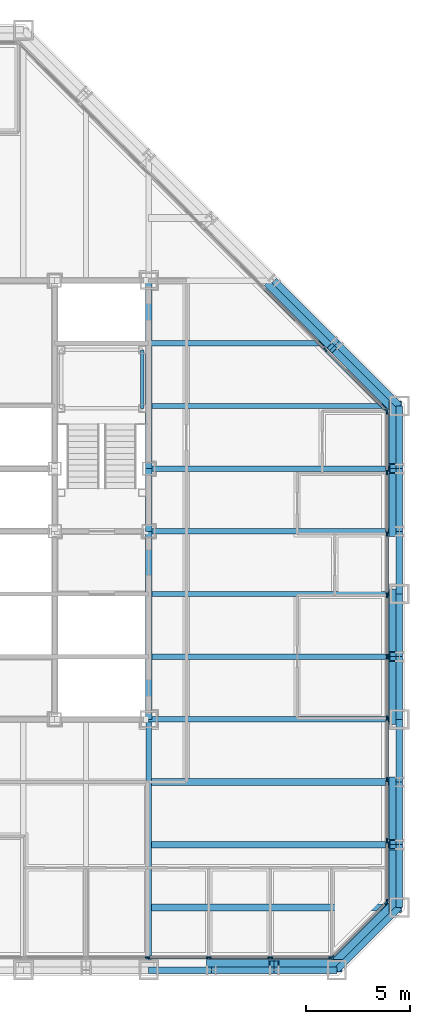
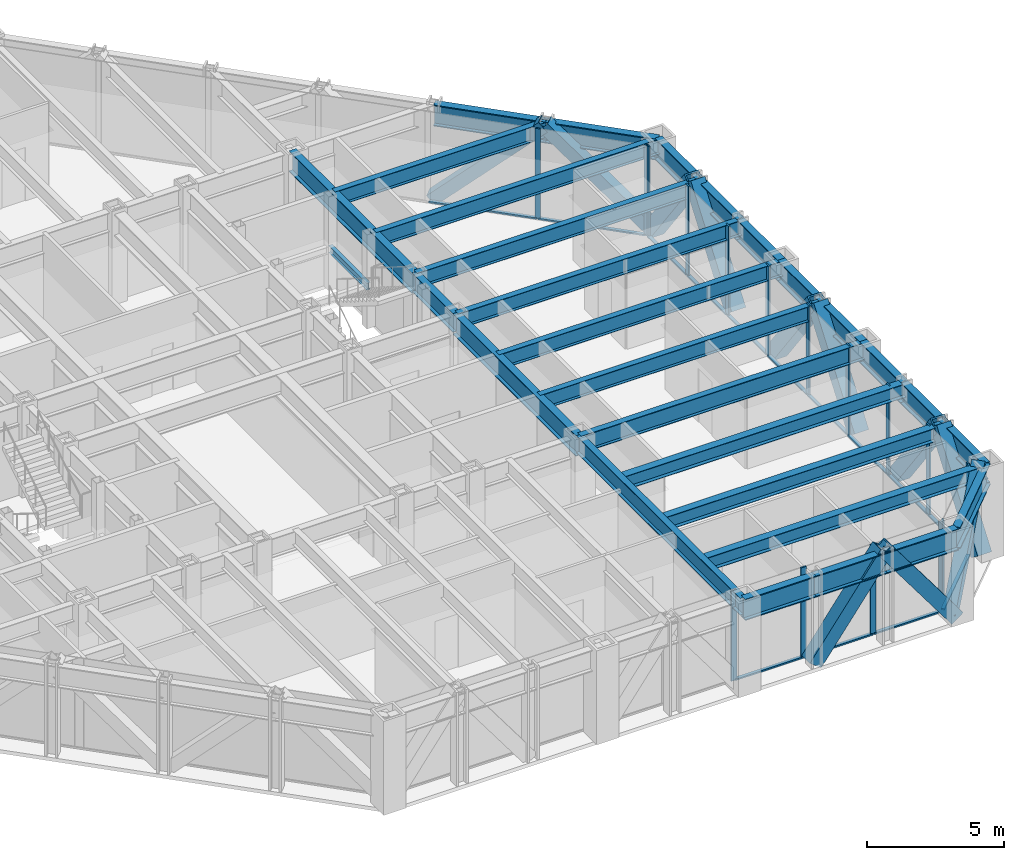
# One storey, part 6 of 16: 42 members, 29 beams, 4 elements without a shape of their own.
"""IFC4 building model written with IfcOpenShell, lengths in metres."""

from ifc_helpers import new_model, si_unit, direction, frame, origin, origin_2d, place, context, subcontext, project, spatial, rectangle, hollow_rectangle, i_section, extrude, material, layer, layer_set, material_profile, profile_set, type_object, element, aggregate, save


model = new_model("IFC4")

# Units and contexts
model_context = context("Model", 3, precision=1e-05, world=origin(), true_north=direction((0.0, 1.0)))
body_context = subcontext(model_context, "Body", "Model", "MODEL_VIEW")
ifc_project = project(units=[si_unit("LENGTHUNIT", "METRE"), si_unit("AREAUNIT", "SQUARE_METRE"), si_unit("VOLUMEUNIT", "CUBIC_METRE"), si_unit("PLANEANGLEUNIT", "RADIAN"), si_unit("MASSUNIT", "GRAM", prefix="KILO")], contexts=[model_context])

# Site, building, storey
site_placement = place(None, origin())
site = spatial("IfcSite", under=ifc_project, at=site_placement, CompositionType="ELEMENT")
building_placement = place(site_placement, origin())
building = spatial("IfcBuilding", under=site, at=building_placement, Name="Chuquiago Exchange Tower", CompositionType="ELEMENT")
storey_placement = place(building_placement, frame((0.0, 0.0, 161.39990234375)))
storey = spatial("IfcBuildingStorey", under=building, at=storey_placement, Name="L35", CompositionType="ELEMENT", Elevation=161.39990234375)

# Beams
ifc_material_1 = material(Name="Steel ASTM A992", Category="steel")
ifc_material_profile_1 = material_profile(ifc_material_1, i_section(OverallWidth=0.25390625, OverallDepth=0.683349609375, WebThickness=0.012451171875, FlangeThickness=0.018798828125, at=origin_2d()), Name="W27X94")
ifc_profile_set_1 = profile_set([ifc_material_profile_1], Name="Steel ASTM A992")
beam_type_1 = type_object("IfcBeamType", Name="B1 W27X94", PredefinedType="BEAM", material=ifc_profile_set_1)
for number, where, z_axis, x_axis, name in (
    (1, (33.0, 15.0, 3.698486328125), (1.0, 0.0, 0.0), (0.0, 1.0, 0.0), "FB-L36-infill-33_15-45_15-0"),
    (2, (33.0, 18.0, 3.698486328125), (1.0, 0.0, 0.0), (0.0, 1.0, 0.0), "FB-L36-infill-33_18-45_18-0"),
    (3, (33.0, 21.0, 3.698486328125), (1.0, 0.0, 0.0), (0.0, 1.0, 0.0), "FB-L36-infill-33_21-45_21-0"),
    (4, (33.0, 24.0, 3.698486328125), (1.0, 0.0, 0.0), (0.0, 1.0, 0.0), "FB-L36-infill-33_24-45_24-0"),
    (5, (33.0, 27.0, 3.698486328125), (1.0, 0.0, 0.0), (0.0, 1.0, 0.0), "FB-L36-infill-33_27-45_27-0"),
):
    element("IfcBeam", number, at=place(storey_placement, frame(where, z_axis=z_axis, x_axis=x_axis)), inside=storey, type_object=beam_type_1, Name=name, PredefinedType="BEAM", context=body_context, shape_type="SweptSolid", body=[
        extrude(i_section(OverallWidth=0.25390625, OverallDepth=0.683349609375, WebThickness=0.012451171875, FlangeThickness=0.018798828125, at=origin_2d()), origin(), (0.0, 0.0, 1.0), 12.0),
    ])
beam_1_placement = place(storey_placement, frame((33.0, 30.0, 3.698486328125), z_axis=(1.0, 0.0, 0.0), x_axis=(0.0, 1.0, 0.0)))
element("IfcBeam", 6, at=beam_1_placement, inside=storey, type_object=beam_type_1, Name="FB-L36-infill-33_30-42_30-0", PredefinedType="BEAM", context=body_context, shape_type="SweptSolid", body=[
    extrude(i_section(OverallWidth=0.25390625, OverallDepth=0.683349609375, WebThickness=0.012451171875, FlangeThickness=0.018798828125, at=origin_2d()), origin(), (0.0, 0.0, 1.0), 9.0),
])
ifc_material_2 = material(Name="Steel ASTM A992", Category="steel")
ifc_material_profile_2 = material_profile(ifc_material_2, i_section(OverallWidth=0.307373046875, OverallDepth=0.927001953125, WebThickness=0.01953125, FlangeThickness=0.031982421875, at=origin_2d()), Name="W36X194")
ifc_profile_set_2 = profile_set([ifc_material_profile_2], Name="Steel ASTM A992")
beam_type_2 = type_object("IfcBeamType", Name="B10 W36X194", PredefinedType="BEAM", material=ifc_profile_set_2)
for number, where, z_axis, x_axis, name in (
    (7, (33.0, 12.0, 3.576416015625), (0.0, 1.0, 0.0), (-1.0, 0.0, 0.0), "CB-L36-33_12-33_21"),
    (8, (33.0, 24.0, 3.576416015625), (0.0, 1.0, 0.0), (-1.0, 0.0, 0.0), "CB-L36-33_24-33_33"),
):
    element("IfcBeam", number, at=place(storey_placement, frame(where, z_axis=z_axis, x_axis=x_axis)), inside=storey, type_object=beam_type_2, Name=name, PredefinedType="BEAM", context=body_context, shape_type="SweptSolid", body=[
        extrude(i_section(OverallWidth=0.307373046875, OverallDepth=0.927001953125, WebThickness=0.01953125, FlangeThickness=0.031982421875, at=origin_2d()), origin(), (0.0, 0.0, 1.0), 9.0),
    ])
ifc_material_3 = material(Name="Steel ASTM A992", Category="steel")
ifc_material_profile_3 = material_profile(ifc_material_3, i_section(OverallWidth=0.3251953125, OverallDepth=0.612060546875, WebThickness=0.0126953125, FlangeThickness=0.01904296875, at=origin_2d()), Name="W24X104")
ifc_profile_set_3 = profile_set([ifc_material_profile_3], Name="Steel ASTM A992")
beam_type_3 = type_object("IfcBeamType", Name="B2 W24X104", PredefinedType="BEAM", material=ifc_profile_set_3)
for number, where, z_axis, x_axis, name in (
    (9, (33.0, 3.0, 3.73388671875), (1.0, 0.0, 0.0), (0.0, 1.0, 0.0), "FB-L36-corner-33_3-45_3-0"),
    (10, (33.0, 6.0, 3.73388671875), (1.0, 0.0, 0.0), (0.0, 1.0, 0.0), "FB-L36-corner-33_6-45_6-0"),
    (11, (33.0, 9.0, 3.73388671875), (1.0, 0.0, 0.0), (0.0, 1.0, 0.0), "FB-L36-corner-33_9-45_9-0"),
):
    element("IfcBeam", number, at=place(storey_placement, frame(where, z_axis=z_axis, x_axis=x_axis)), inside=storey, type_object=beam_type_3, Name=name, PredefinedType="BEAM", context=body_context, shape_type="SweptSolid", body=[
        extrude(i_section(OverallWidth=0.3251953125, OverallDepth=0.612060546875, WebThickness=0.0126953125, FlangeThickness=0.01904296875, at=origin_2d()), origin(), (0.0, 0.0, 1.0), 12.0),
    ])
ifc_material_4 = material(Name="Steel ASTM A992", Category="steel")
ifc_material_profile_4 = material_profile(ifc_material_4, i_section(OverallWidth=0.2919921875, OverallDepth=0.8583984375, WebThickness=0.01708984375, FlangeThickness=0.031005859375, at=origin_2d()), Name="W33X169")
ifc_profile_set_4 = profile_set([ifc_material_profile_4], Name="Steel ASTM A992")
beam_type_4 = type_object("IfcBeamType", Name="B3 W33X169", PredefinedType="BEAM", material=ifc_profile_set_4)
beam_2_placement = place(storey_placement, frame((33.0, 21.0, 3.61083984375), z_axis=(0.0, 1.0, 0.0), x_axis=(-1.0, 0.0, 0.0)))
element("IfcBeam", 12, at=beam_2_placement, inside=storey, type_object=beam_type_4, Name="CB-L36-33_21-33_24", PredefinedType="BEAM", context=body_context, shape_type="SweptSolid", body=[
    extrude(i_section(OverallWidth=0.2919921875, OverallDepth=0.8583984375, WebThickness=0.01708984375, FlangeThickness=0.031005859375, at=origin_2d()), origin(), (0.0, 0.0, 1.0), 3.0),
])

# Curtain wall, members
ifc_material_5 = material(Name="Aluminium curtain wall system", Category="aluminium")
ifc_layer_1 = layer(ifc_material_5, 0.22509765625)
ifc_layer_set_1 = layer_set([ifc_layer_1], Name="CW2 office curtain wall")
curtain_wall_type_1 = type_object("IfcCurtainWallType", Name="CW2 office curtain wall", PredefinedType="NOTDEFINED", material=ifc_layer_set_1)
curtain_wall_1_placement = place(storey_placement, origin())
curtain_wall_1 = element("IfcCurtainWall", 13, at=curtain_wall_1_placement, inside=storey, type_object=curtain_wall_type_1, Name="CW2 curtain wall L35", PredefinedType="NOTDEFINED")
ifc_material_6 = material(Name="Aluminium mullion, pale anodised", Category="aluminium")
ifc_material_profile_5 = material_profile(ifc_material_6, rectangle(XDim=0.06494140625, YDim=0.22509765625, at=origin_2d()), Name="AL 65x225")
ifc_profile_set_5 = profile_set([ifc_material_profile_5], Name="Aluminium mullion, pale anodised")
member_type_1 = type_object("IfcMemberType", Name="CW2-M mullion 65x225", PredefinedType="MULLION", material=ifc_profile_set_5)
member_1_placement = place(storey_placement, frame((32.93798828125, 0.60009765625, 0.0), z_axis=(0.0, 0.0, 1.0), x_axis=(0.0, 1.0, 0.0)))
member_1 = element("IfcMember", 14, at=member_1_placement, type_object=member_type_1, Name="CW2 mullion 6", PredefinedType="MULLION", context=body_context, shape_type="SweptSolid", body=[
    extrude(rectangle(XDim=0.06494140625, YDim=0.22509765625, at=origin_2d()), origin(), (0.0, 0.0, 1.0), 4.0400390625),
])
member_2_placement = place(storey_placement, frame((35.875732421875, 0.60009765625, 0.0), z_axis=(0.0, 0.0, 1.0), x_axis=(0.0, 1.0, 0.0)))
member_2 = element("IfcMember", 15, at=member_2_placement, type_object=member_type_1, Name="CW2 mullion 7", PredefinedType="MULLION", context=body_context, shape_type="SweptSolid", body=[
    extrude(rectangle(XDim=0.06494140625, YDim=0.22509765625, at=origin_2d()), origin(), (0.0, 0.0, 1.0), 4.0400390625),
])
member_3_placement = place(storey_placement, frame((38.813720703125, 0.60009765625, 0.0), z_axis=(0.0, 0.0, 1.0), x_axis=(0.0, 1.0, 0.0)))
member_3 = element("IfcMember", 16, at=member_3_placement, type_object=member_type_1, Name="CW2 mullion 8", PredefinedType="MULLION", context=body_context, shape_type="SweptSolid", body=[
    extrude(rectangle(XDim=0.06494140625, YDim=0.22509765625, at=origin_2d()), origin(), (0.0, 0.0, 1.0), 4.0400390625),
])
member_4_placement = place(storey_placement, frame((41.718994140625, 0.60009765625, 0.0), z_axis=(0.0, 0.0, 1.0), x_axis=(0.0, 1.0, 0.0)))
member_4 = element("IfcMember", 17, at=member_4_placement, type_object=member_type_1, Name="CW2 mullion 9", PredefinedType="MULLION", context=body_context, shape_type="SweptSolid", body=[
    extrude(rectangle(XDim=0.06494140625, YDim=0.22509765625, at=origin_2d()), origin(), (0.0, 0.0, 1.0), 4.0400390625),
])

curtain_wall_2_placement = place(storey_placement, origin())
curtain_wall_2 = element("IfcCurtainWall", 18, at=curtain_wall_2_placement, inside=storey, type_object=curtain_wall_type_1, Name="CW2 curtain wall L35", PredefinedType="NOTDEFINED")
member_5_placement = place(storey_placement, frame((44.39990234375, 3.281005859375, 0.0), z_axis=(0.0, 0.0, 1.0), x_axis=(-1.0, 0.0, 0.0)))
member_5 = element("IfcMember", 19, at=member_5_placement, type_object=member_type_1, Name="CW2 mullion 1", PredefinedType="MULLION", context=body_context, shape_type="SweptSolid", body=[
    extrude(rectangle(XDim=0.06494140625, YDim=0.22509765625, at=origin_2d()), origin(), (0.0, 0.0, 1.0), 4.0400390625),
])
member_6_placement = place(storey_placement, frame((44.39990234375, 6.186279296875, 0.0), z_axis=(0.0, 0.0, 1.0), x_axis=(-1.0, 0.0, 0.0)))
member_6 = element("IfcMember", 20, at=member_6_placement, type_object=member_type_1, Name="CW2 mullion 2", PredefinedType="MULLION", context=body_context, shape_type="SweptSolid", body=[
    extrude(rectangle(XDim=0.06494140625, YDim=0.22509765625, at=origin_2d()), origin(), (0.0, 0.0, 1.0), 4.0400390625),
])
member_7_placement = place(storey_placement, frame((44.39990234375, 9.124267578125, 0.0), z_axis=(0.0, 0.0, 1.0), x_axis=(-1.0, 0.0, 0.0)))
member_7 = element("IfcMember", 21, at=member_7_placement, type_object=member_type_1, Name="CW2 mullion 3", PredefinedType="MULLION", context=body_context, shape_type="SweptSolid", body=[
    extrude(rectangle(XDim=0.06494140625, YDim=0.22509765625, at=origin_2d()), origin(), (0.0, 0.0, 1.0), 4.0400390625),
])
member_8_placement = place(storey_placement, frame((44.39990234375, 12.06201171875, 0.0), z_axis=(0.0, 0.0, 1.0), x_axis=(-1.0, 0.0, 0.0)))
member_8 = element("IfcMember", 22, at=member_8_placement, type_object=member_type_1, Name="CW2 mullion 4", PredefinedType="MULLION", context=body_context, shape_type="SweptSolid", body=[
    extrude(rectangle(XDim=0.06494140625, YDim=0.22509765625, at=origin_2d()), origin(), (0.0, 0.0, 1.0), 4.0400390625),
])
member_9_placement = place(storey_placement, frame((44.39990234375, 15.0, 0.0), z_axis=(0.0, 0.0, 1.0), x_axis=(-1.0, 0.0, 0.0)))
member_9 = element("IfcMember", 23, at=member_9_placement, type_object=member_type_1, Name="CW2 mullion 5", PredefinedType="MULLION", context=body_context, shape_type="SweptSolid", body=[
    extrude(rectangle(XDim=0.06494140625, YDim=0.22509765625, at=origin_2d()), origin(), (0.0, 0.0, 1.0), 4.0400390625),
])
member_10_placement = place(storey_placement, frame((44.39990234375, 17.93798828125, 0.0), z_axis=(0.0, 0.0, 1.0), x_axis=(-1.0, 0.0, 0.0)))
member_10 = element("IfcMember", 24, at=member_10_placement, type_object=member_type_1, Name="CW2 mullion 6", PredefinedType="MULLION", context=body_context, shape_type="SweptSolid", body=[
    extrude(rectangle(XDim=0.06494140625, YDim=0.22509765625, at=origin_2d()), origin(), (0.0, 0.0, 1.0), 4.0400390625),
])
member_11_placement = place(storey_placement, frame((44.39990234375, 20.875732421875, 0.0), z_axis=(0.0, 0.0, 1.0), x_axis=(-1.0, 0.0, 0.0)))
member_11 = element("IfcMember", 25, at=member_11_placement, type_object=member_type_1, Name="CW2 mullion 7", PredefinedType="MULLION", context=body_context, shape_type="SweptSolid", body=[
    extrude(rectangle(XDim=0.06494140625, YDim=0.22509765625, at=origin_2d()), origin(), (0.0, 0.0, 1.0), 4.0400390625),
])
member_12_placement = place(storey_placement, frame((44.39990234375, 23.813720703125, 0.0), z_axis=(0.0, 0.0, 1.0), x_axis=(-1.0, 0.0, 0.0)))
member_12 = element("IfcMember", 26, at=member_12_placement, type_object=member_type_1, Name="CW2 mullion 8", PredefinedType="MULLION", context=body_context, shape_type="SweptSolid", body=[
    extrude(rectangle(XDim=0.06494140625, YDim=0.22509765625, at=origin_2d()), origin(), (0.0, 0.0, 1.0), 4.0400390625),
])
member_13_placement = place(storey_placement, frame((44.39990234375, 26.718994140625, 0.0), z_axis=(0.0, 0.0, 1.0), x_axis=(-1.0, 0.0, 0.0)))
member_13 = element("IfcMember", 27, at=member_13_placement, type_object=member_type_1, Name="CW2 mullion 9", PredefinedType="MULLION", context=body_context, shape_type="SweptSolid", body=[
    extrude(rectangle(XDim=0.06494140625, YDim=0.22509765625, at=origin_2d()), origin(), (0.0, 0.0, 1.0), 4.0400390625),
])

# Member
ifc_material_7 = material(Name="Aluminium transom, pale anodised", Category="aluminium")
ifc_material_profile_6 = material_profile(ifc_material_7, rectangle(XDim=0.139892578125, YDim=0.06494140625, at=origin_2d()), Name="AL 140x65")
ifc_profile_set_6 = profile_set([ifc_material_profile_6], Name="Aluminium transom, pale anodised")
member_type_2 = type_object("IfcMemberType", Name="CW2-T transom 65x140", PredefinedType="MULLION", material=ifc_profile_set_6)
member_14_placement = place(storey_placement, frame((32.970458984375, 0.60009765625, 0.03271484375), z_axis=(1.0, 0.0, 0.0), x_axis=(0.0, 1.0, 0.0)))
member_14 = element("IfcMember", 28, at=member_14_placement, type_object=member_type_2, Name="CW2 transom 6.1", PredefinedType="MULLION", context=body_context, shape_type="SweptSolid", body=[
    extrude(rectangle(XDim=0.139892578125, YDim=0.06494140625, at=origin_2d()), origin(), (0.0, 0.0, 1.0), 2.872802734375),
])

member_15_placement = place(storey_placement, frame((35.908203125, 0.60009765625, 0.03271484375), z_axis=(1.0, 0.0, 0.0), x_axis=(0.0, 1.0, 0.0)))
member_15 = element("IfcMember", 29, at=member_15_placement, type_object=member_type_2, Name="CW2 transom 7.1", PredefinedType="MULLION", context=body_context, shape_type="SweptSolid", body=[
    extrude(rectangle(XDim=0.139892578125, YDim=0.06494140625, at=origin_2d()), origin(), (0.0, 0.0, 1.0), 2.872802734375),
])

member_16_placement = place(storey_placement, frame((38.84619140625, 0.60009765625, 0.03271484375), z_axis=(1.0, 0.0, 0.0), x_axis=(0.0, 1.0, 0.0)))
member_16 = element("IfcMember", 30, at=member_16_placement, type_object=member_type_2, Name="CW2 transom 8.1", PredefinedType="MULLION", context=body_context, shape_type="SweptSolid", body=[
    extrude(rectangle(XDim=0.139892578125, YDim=0.06494140625, at=origin_2d()), origin(), (0.0, 0.0, 1.0), 2.84033203125),
])

aggregate(curtain_wall_1, [member_1, member_2, member_3, member_4, member_14, member_15, member_16])

member_17_placement = place(storey_placement, frame((44.39990234375, 3.3134765625, 0.03271484375), z_axis=(0.0, 1.0, 0.0), x_axis=(-1.0, 0.0, 0.0)))
member_17 = element("IfcMember", 31, at=member_17_placement, type_object=member_type_2, Name="CW2 transom 1.1", PredefinedType="MULLION", context=body_context, shape_type="SweptSolid", body=[
    extrude(rectangle(XDim=0.139892578125, YDim=0.06494140625, at=origin_2d()), origin(), (0.0, 0.0, 1.0), 2.84033203125),
])

member_18_placement = place(storey_placement, frame((44.39990234375, 6.218994140625, 0.03271484375), z_axis=(0.0, 1.0, 0.0), x_axis=(-1.0, 0.0, 0.0)))
member_18 = element("IfcMember", 32, at=member_18_placement, type_object=member_type_2, Name="CW2 transom 2.1", PredefinedType="MULLION", context=body_context, shape_type="SweptSolid", body=[
    extrude(rectangle(XDim=0.139892578125, YDim=0.06494140625, at=origin_2d()), origin(), (0.0, 0.0, 1.0), 2.872802734375),
])

member_19_placement = place(storey_placement, frame((44.39990234375, 9.15673828125, 0.03271484375), z_axis=(0.0, 1.0, 0.0), x_axis=(-1.0, 0.0, 0.0)))
member_19 = element("IfcMember", 33, at=member_19_placement, type_object=member_type_2, Name="CW2 transom 3.1", PredefinedType="MULLION", context=body_context, shape_type="SweptSolid", body=[
    extrude(rectangle(XDim=0.139892578125, YDim=0.06494140625, at=origin_2d()), origin(), (0.0, 0.0, 1.0), 2.872802734375),
])

member_20_placement = place(storey_placement, frame((44.39990234375, 12.0947265625, 0.03271484375), z_axis=(0.0, 1.0, 0.0), x_axis=(-1.0, 0.0, 0.0)))
member_20 = element("IfcMember", 34, at=member_20_placement, type_object=member_type_2, Name="CW2 transom 4.1", PredefinedType="MULLION", context=body_context, shape_type="SweptSolid", body=[
    extrude(rectangle(XDim=0.139892578125, YDim=0.06494140625, at=origin_2d()), origin(), (0.0, 0.0, 1.0), 2.872802734375),
])

member_21_placement = place(storey_placement, frame((44.39990234375, 15.032470703125, 0.03271484375), z_axis=(0.0, 1.0, 0.0), x_axis=(-1.0, 0.0, 0.0)))
member_21 = element("IfcMember", 35, at=member_21_placement, type_object=member_type_2, Name="CW2 transom 5.1", PredefinedType="MULLION", context=body_context, shape_type="SweptSolid", body=[
    extrude(rectangle(XDim=0.139892578125, YDim=0.06494140625, at=origin_2d()), origin(), (0.0, 0.0, 1.0), 2.872802734375),
])

member_22_placement = place(storey_placement, frame((44.39990234375, 17.970458984375, 0.03271484375), z_axis=(0.0, 1.0, 0.0), x_axis=(-1.0, 0.0, 0.0)))
member_22 = element("IfcMember", 36, at=member_22_placement, type_object=member_type_2, Name="CW2 transom 6.1", PredefinedType="MULLION", context=body_context, shape_type="SweptSolid", body=[
    extrude(rectangle(XDim=0.139892578125, YDim=0.06494140625, at=origin_2d()), origin(), (0.0, 0.0, 1.0), 2.872802734375),
])

member_23_placement = place(storey_placement, frame((44.39990234375, 20.908203125, 0.03271484375), z_axis=(0.0, 1.0, 0.0), x_axis=(-1.0, 0.0, 0.0)))
member_23 = element("IfcMember", 37, at=member_23_placement, type_object=member_type_2, Name="CW2 transom 7.1", PredefinedType="MULLION", context=body_context, shape_type="SweptSolid", body=[
    extrude(rectangle(XDim=0.139892578125, YDim=0.06494140625, at=origin_2d()), origin(), (0.0, 0.0, 1.0), 2.872802734375),
])

member_24_placement = place(storey_placement, frame((44.39990234375, 23.84619140625, 0.03271484375), z_axis=(0.0, 1.0, 0.0), x_axis=(-1.0, 0.0, 0.0)))
member_24 = element("IfcMember", 38, at=member_24_placement, type_object=member_type_2, Name="CW2 transom 8.1", PredefinedType="MULLION", context=body_context, shape_type="SweptSolid", body=[
    extrude(rectangle(XDim=0.139892578125, YDim=0.06494140625, at=origin_2d()), origin(), (0.0, 0.0, 1.0), 2.84033203125),
])

aggregate(curtain_wall_2, [member_5, member_6, member_7, member_8, member_9, member_10, member_11, member_12, member_13, member_17, member_18, member_19, member_20, member_21, member_22, member_23, member_24])

# Curtain wall, members
ifc_material_8 = material(Name="Aluminium curtain wall system", Category="aluminium")
ifc_layer_2 = layer(ifc_material_8, 0.199951171875)
ifc_layer_set_2 = layer_set([ifc_layer_2], Name="CW3 facet curtain wall")
curtain_wall_type_2 = type_object("IfcCurtainWallType", Name="CW3 facet curtain wall", PredefinedType="NOTDEFINED", material=ifc_layer_set_2)
curtain_wall_3_placement = place(storey_placement, origin())
curtain_wall_3 = element("IfcCurtainWall", 39, at=curtain_wall_3_placement, inside=storey, type_object=curtain_wall_type_2, Name="CW3 curtain wall L35", PredefinedType="NOTDEFINED")
ifc_material_9 = material(Name="Aluminium mullion, pale anodised", Category="aluminium")
ifc_material_profile_7 = material_profile(ifc_material_9, rectangle(XDim=0.06494140625, YDim=0.199951171875, at=origin_2d()), Name="AL 65x200")
ifc_profile_set_7 = profile_set([ifc_material_profile_7], Name="Aluminium mullion, pale anodised")
member_type_3 = type_object("IfcMemberType", Name="CW3-M mullion 65x200", PredefinedType="MULLION", material=ifc_profile_set_7)
member_25_placement = place(storey_placement, frame((41.7744140625, 0.623046875, 0.0), z_axis=(0.0, 0.0, 1.0), x_axis=(-0.707106781187, 0.707106781187, 0.0)))
member_25 = element("IfcMember", 40, at=member_25_placement, type_object=member_type_3, Name="CW3 mullion 1", PredefinedType="MULLION", context=body_context, shape_type="SweptSolid", body=[
    extrude(rectangle(XDim=0.06494140625, YDim=0.199951171875, at=origin_2d()), origin(), (0.0, 0.0, 1.0), 4.0400390625),
])
member_26_placement = place(storey_placement, frame((44.376953125, 3.2255859375, 0.0), z_axis=(0.0, 0.0, 1.0), x_axis=(-0.707106781187, 0.707106781187, 0.0)))
member_26 = element("IfcMember", 41, at=member_26_placement, type_object=member_type_3, Name="CW3 mullion 2", PredefinedType="MULLION", context=body_context, shape_type="SweptSolid", body=[
    extrude(rectangle(XDim=0.06494140625, YDim=0.199951171875, at=origin_2d()), origin(), (0.0, 0.0, 1.0), 4.0400390625),
])

curtain_wall_4_placement = place(storey_placement, origin())
curtain_wall_4 = element("IfcCurtainWall", 42, at=curtain_wall_4_placement, inside=storey, type_object=curtain_wall_type_2, Name="CW3 curtain wall L35", PredefinedType="NOTDEFINED")
member_27_placement = place(storey_placement, frame((44.376953125, 26.7744140625, 0.0), z_axis=(0.0, 0.0, 1.0), x_axis=(-0.707106781187, -0.707106781187, 0.0)))
member_27 = element("IfcMember", 43, at=member_27_placement, type_object=member_type_3, Name="CW3 mullion 1", PredefinedType="MULLION", context=body_context, shape_type="SweptSolid", body=[
    extrude(rectangle(XDim=0.06494140625, YDim=0.199951171875, at=origin_2d()), origin(), (0.0, 0.0, 1.0), 4.0400390625),
])
member_28_placement = place(storey_placement, frame((41.45849609375, 29.69287109375, 0.0), z_axis=(0.0, 0.0, 1.0), x_axis=(-0.707106781187, -0.707106781187, 0.0)))
member_28 = element("IfcMember", 44, at=member_28_placement, type_object=member_type_3, Name="CW3 mullion 2", PredefinedType="MULLION", context=body_context, shape_type="SweptSolid", body=[
    extrude(rectangle(XDim=0.06494140625, YDim=0.199951171875, at=origin_2d()), origin(), (0.0, 0.0, 1.0), 4.0400390625),
])

# Member
ifc_material_10 = material(Name="Aluminium transom, pale anodised", Category="aluminium")
ifc_material_profile_8 = material_profile(ifc_material_10, rectangle(XDim=0.139892578125, YDim=0.06494140625, at=origin_2d()), Name="AL 140x65")
ifc_profile_set_8 = profile_set([ifc_material_profile_8], Name="Aluminium transom, pale anodised")
member_type_4 = type_object("IfcMemberType", Name="CW3-T transom 65x140", PredefinedType="MULLION", material=ifc_profile_set_8)
member_29_placement = place(storey_placement, frame((41.79736328125, 0.64599609375, 0.03271484375), z_axis=(0.707106781187, 0.707106781187, 0.0), x_axis=(-0.707106781187, 0.707106781187, 0.0)))
member_29 = element("IfcMember", 45, at=member_29_placement, type_object=member_type_4, Name="CW3 transom 1.1", PredefinedType="MULLION", context=body_context, shape_type="SweptSolid", body=[
    extrude(rectangle(XDim=0.139892578125, YDim=0.06494140625, at=origin_2d()), origin(), (0.0, 0.0, 1.0), 3.61572265625),
])

aggregate(curtain_wall_3, [member_25, member_26, member_29])

member_30_placement = place(storey_placement, frame((44.35400390625, 26.79736328125, 0.03271484375), z_axis=(-0.707106781187, 0.707106781187, 0.0), x_axis=(-0.707106781187, -0.707106781187, 0.0)))
member_30 = element("IfcMember", 46, at=member_30_placement, type_object=member_type_4, Name="CW3 transom 1.1", PredefinedType="MULLION", context=body_context, shape_type="SweptSolid", body=[
    extrude(rectangle(XDim=0.139892578125, YDim=0.06494140625, at=origin_2d()), origin(), (0.0, 0.0, 1.0), 4.0625),
])

member_31_placement = place(storey_placement, frame((41.435546875, 29.7158203125, 0.03271484375), z_axis=(-0.707106781187, 0.707106781187, 0.0), x_axis=(-0.707106781187, -0.707106781187, 0.0)))
member_31 = element("IfcMember", 47, at=member_31_placement, type_object=member_type_4, Name="CW3 transom 2.1", PredefinedType="MULLION", context=body_context, shape_type="SweptSolid", body=[
    extrude(rectangle(XDim=0.139892578125, YDim=0.06494140625, at=origin_2d()), origin(), (0.0, 0.0, 1.0), 4.094970703125),
])

aggregate(curtain_wall_4, [member_27, member_28, member_30, member_31])

# Beams
ifc_material_11 = material(Name="Steel ASTM A992", Category="steel")
ifc_material_profile_9 = material_profile(ifc_material_11, i_section(OverallWidth=0.2666015625, OverallDepth=0.76953125, WebThickness=0.015625, FlangeThickness=0.025390625, at=origin_2d()), Name="W30X132")
ifc_profile_set_9 = profile_set([ifc_material_profile_9], Name="Steel ASTM A992")
beam_type_5 = type_object("IfcBeamType", Name="G1 W30X132", PredefinedType="BEAM", material=ifc_profile_set_9)
for number, where, z_axis, x_axis, name in (
    (48, (33.0, 12.0, 3.6552734375), (0.0, -1.0, 0.0), (1.0, 0.0, 0.0), "FB-L36-girder-33_12-33_-0-0"),
    (49, (33.0, 12.0, 3.6552734375), (1.0, 0.0, 0.0), (0.0, 1.0, 0.0), "FB-L36-girder-33_12-45_12-0"),
):
    element("IfcBeam", number, at=place(storey_placement, frame(where, z_axis=z_axis, x_axis=x_axis)), inside=storey, type_object=beam_type_5, Name=name, PredefinedType="BEAM", context=body_context, shape_type="SweptSolid", body=[
        extrude(i_section(OverallWidth=0.2666015625, OverallDepth=0.76953125, WebThickness=0.015625, FlangeThickness=0.025390625, at=origin_2d()), origin(), (0.0, 0.0, 1.0), 12.0),
    ])

# Members
ifc_material_12 = material(Name="Steel ASTM A500 Grade C", Category="steel")
ifc_material_profile_10 = material_profile(ifc_material_12, hollow_rectangle(XDim=0.508056640625, YDim=0.508056640625, WallThickness=0.017822265625, at=origin_2d()), Name="HSS20X20X3/4")
ifc_profile_set_10 = profile_set([ifc_material_profile_10], Name="Steel ASTM A500 Grade C")
member_type_5 = type_object("IfcMemberType", Name="LB1 HSS20X20X3/4", PredefinedType="BRACE", material=ifc_profile_set_10)
for number, where, z_axis, x_axis, name in (
    (50, (41.822509765625, 0.177490234375, 0.0), (0.512077265487, 0.512077265487, 0.689604051861), (-0.707106781187, 0.707106781187, 0.0), "LB-L35-42_0-45_3"),
    (51, (44.822509765625, 26.822509765625, 0.0), (-0.512077265487, 0.512077265487, 0.689604051861), (-0.707106781187, -0.707106781187, 0.0), "LB-L35-45_27-42_30"),
    (52, (38.822509765625, 32.822509765625, 0.0), (0.512077265487, -0.512077265487, 0.689604051861), (0.707106781187, 0.707106781187, 0.0), "LB-L35-42_30-39_33"),
):
    element("IfcMember", number, at=place(storey_placement, frame(where, z_axis=z_axis, x_axis=x_axis)), inside=storey, type_object=member_type_5, Name=name, PredefinedType="BRACE", context=body_context, shape_type="SweptSolid", body=[
        extrude(hollow_rectangle(XDim=0.508056640625, YDim=0.508056640625, WallThickness=0.017822265625, at=origin_2d()), origin(), (0.0, 0.0, 1.0), 5.8583984375),
    ])

# Beam
ifc_material_13 = material(Name="Steel ASTM A992", Category="steel")
ifc_material_profile_11 = material_profile(ifc_material_13, i_section(OverallWidth=0.164794921875, OverallDepth=0.309814453125, WebThickness=0.005859375, FlangeThickness=0.009765625, at=origin_2d()), Name="W12X26")
ifc_profile_set_11 = profile_set([ifc_material_profile_11], Name="Steel ASTM A992")
beam_type_6 = type_object("IfcBeamType", Name="LS1 W12X26", PredefinedType="BEAM", material=ifc_profile_set_11)
beam_3_placement = place(storey_placement, frame((32.68994140625, 26.889892578125, 1.7451171875), z_axis=(0.0, 1.0, 0.0), x_axis=(-1.0, 0.0, 0.0)))
element("IfcBeam", 53, at=beam_3_placement, inside=storey, type_object=beam_type_6, Name="Stair ST2 L35 landing 1 stringer", PredefinedType="BEAM", context=body_context, shape_type="SweptSolid", body=[
    extrude(i_section(OverallWidth=0.164794921875, OverallDepth=0.309814453125, WebThickness=0.005859375, FlangeThickness=0.009765625, at=origin_2d()), origin(), (0.0, 0.0, 1.0), 2.800048828125),
])

# Members
ifc_material_14 = material(Name="Steel ASTM A572 Grade 50", Category="steel")
ifc_material_profile_12 = material_profile(ifc_material_14, hollow_rectangle(XDim=0.60009765625, YDim=0.60009765625, WallThickness=0.06005859375, at=origin_2d()), Name="BOX600X600X60")
ifc_profile_set_12 = profile_set([ifc_material_profile_12], Name="Steel ASTM A572 Grade 50")
member_type_6 = type_object("IfcMemberType", Name="MB2 BOX600X600X60", PredefinedType="BRACE", material=ifc_profile_set_12)
for number, where, z_axis, x_axis, name in (
    (54, (36.0, 0.205078125, 0.0), (0.596173923302, 0.0, 0.802855312728), (0.0, 1.0, 0.0), "Mega diagonal L35 S face"),
    (55, (42.0, 0.205078125, 0.0), (-0.596173923302, 0.0, 0.802855312728), (0.0, -1.0, 0.0), "Mega diagonal L35 S face"),
    (56, (44.794921875, 3.0, 0.0), (0.0, 0.596173923302, 0.802855312728), (-1.0, 0.0, 0.0), "Mega diagonal L35 E face"),
    (57, (44.794921875, 9.0, 0.0), (0.0, -0.596173923302, 0.802855312728), (1.0, 0.0, 0.0), "Mega diagonal L35 E face"),
    (58, (44.794921875, 12.0, 0.0), (0.0, 0.596173923302, 0.802855312728), (-1.0, 0.0, 0.0), "Mega diagonal L35 E face"),
    (59, (44.794921875, 18.0, 0.0), (0.0, -0.596173923302, 0.802855312728), (1.0, 0.0, 0.0), "Mega diagonal L35 E face"),
    (60, (44.794921875, 21.0, 0.0), (0.0, 0.596173923302, 0.802855312728), (-1.0, 0.0, 0.0), "Mega diagonal L35 E face"),
    (61, (44.794921875, 27.0, 0.0), (0.0, -0.596173923302, 0.802855312728), (1.0, 0.0, 0.0), "Mega diagonal L35 E face"),
):
    element("IfcMember", number, at=place(storey_placement, frame(where, z_axis=z_axis, x_axis=x_axis)), inside=storey, type_object=member_type_6, Name=name, PredefinedType="BRACE", context=body_context, shape_type="SweptSolid", body=[
        extrude(hollow_rectangle(XDim=0.60009765625, YDim=0.60009765625, WallThickness=0.06005859375, at=origin_2d()), origin(), (0.0, 0.0, 1.0), 5.031982421875),
    ])

# Beams
ifc_material_15 = material(Name="Steel ASTM A992", Category="steel")
ifc_material_profile_13 = material_profile(ifc_material_15, i_section(OverallWidth=0.309814453125, OverallDepth=0.949951171875, WebThickness=0.0244140625, FlangeThickness=0.0439453125, at=origin_2d()), Name="W36X256")
ifc_profile_set_13 = profile_set([ifc_material_profile_13], Name="Steel ASTM A992")
beam_type_7 = type_object("IfcBeamType", Name="SP2 W36X256", PredefinedType="SPANDREL", material=ifc_profile_set_13)
for number, where, z_axis, x_axis, name in (
    (62, (33.0, 0.0, 3.565185546875), (1.0, 0.0, 0.0), (0.0, 1.0, 0.0), "SPB-L36-33_0-36_0"),
    (63, (36.0, 0.0, 3.565185546875), (1.0, 0.0, 0.0), (0.0, 1.0, 0.0), "SPB-L36-36_0-39_0"),
    (64, (39.0, 0.0, 3.565185546875), (1.0, 0.0, 0.0), (0.0, 1.0, 0.0), "SPB-L36-39_0-42_0"),
):
    element("IfcBeam", number, at=place(storey_placement, frame(where, z_axis=z_axis, x_axis=x_axis)), inside=storey, type_object=beam_type_7, Name=name, PredefinedType="SPANDREL", context=body_context, shape_type="SweptSolid", body=[
        extrude(i_section(OverallWidth=0.309814453125, OverallDepth=0.949951171875, WebThickness=0.0244140625, FlangeThickness=0.0439453125, at=origin_2d()), origin(), (0.0, 0.0, 1.0), 3.0),
    ])
beam_4_placement = place(storey_placement, frame((42.0, 0.0, 3.565185546875), z_axis=(0.707106781187, 0.707106781187, 0.0), x_axis=(-0.707106781187, 0.707106781187, 0.0)))
element("IfcBeam", 65, at=beam_4_placement, inside=storey, type_object=beam_type_7, Name="SPB-L36-42_0-45_3", PredefinedType="SPANDREL", context=body_context, shape_type="SweptSolid", body=[
    extrude(i_section(OverallWidth=0.309814453125, OverallDepth=0.949951171875, WebThickness=0.0244140625, FlangeThickness=0.0439453125, at=origin_2d()), origin(), (0.0, 0.0, 1.0), 4.24267578125),
])
for number, where, z_axis, x_axis, name in (
    (66, (45.0, 3.0, 3.565185546875), (0.0, 1.0, 0.0), (-1.0, 0.0, 0.0), "SPB-L36-45_3-45_6"),
    (67, (45.0, 6.0, 3.565185546875), (0.0, 1.0, 0.0), (-1.0, 0.0, 0.0), "SPB-L36-45_6-45_9"),
    (68, (45.0, 9.0, 3.565185546875), (0.0, 1.0, 0.0), (-1.0, 0.0, 0.0), "SPB-L36-45_9-45_12"),
    (69, (45.0, 12.0, 3.565185546875), (0.0, 1.0, 0.0), (-1.0, 0.0, 0.0), "SPB-L36-45_12-45_15"),
    (70, (45.0, 15.0, 3.565185546875), (0.0, 1.0, 0.0), (-1.0, 0.0, 0.0), "SPB-L36-45_15-45_18"),
    (71, (45.0, 18.0, 3.565185546875), (0.0, 1.0, 0.0), (-1.0, 0.0, 0.0), "SPB-L36-45_18-45_21"),
    (72, (45.0, 21.0, 3.565185546875), (0.0, 1.0, 0.0), (-1.0, 0.0, 0.0), "SPB-L36-45_21-45_24"),
    (73, (45.0, 24.0, 3.565185546875), (0.0, 1.0, 0.0), (-1.0, 0.0, 0.0), "SPB-L36-45_24-45_27"),
):
    element("IfcBeam", number, at=place(storey_placement, frame(where, z_axis=z_axis, x_axis=x_axis)), inside=storey, type_object=beam_type_7, Name=name, PredefinedType="SPANDREL", context=body_context, shape_type="SweptSolid", body=[
        extrude(i_section(OverallWidth=0.309814453125, OverallDepth=0.949951171875, WebThickness=0.0244140625, FlangeThickness=0.0439453125, at=origin_2d()), origin(), (0.0, 0.0, 1.0), 3.0),
    ])
for number, where, z_axis, x_axis, name in (
    (74, (45.0, 27.0, 3.565185546875), (-0.707106781187, 0.707106781187, 0.0), (-0.707106781187, -0.707106781187, 0.0), "SPB-L36-45_27-42_30"),
    (75, (42.0, 30.0, 3.565185546875), (-0.707106781187, 0.707106781187, 0.0), (-0.707106781187, -0.707106781187, 0.0), "SPB-L36-42_30-39_33"),
):
    element("IfcBeam", number, at=place(storey_placement, frame(where, z_axis=z_axis, x_axis=x_axis)), inside=storey, type_object=beam_type_7, Name=name, PredefinedType="SPANDREL", context=body_context, shape_type="SweptSolid", body=[
        extrude(i_section(OverallWidth=0.309814453125, OverallDepth=0.949951171875, WebThickness=0.0244140625, FlangeThickness=0.0439453125, at=origin_2d()), origin(), (0.0, 0.0, 1.0), 4.24267578125),
    ])

save(model, "model.ifc")
